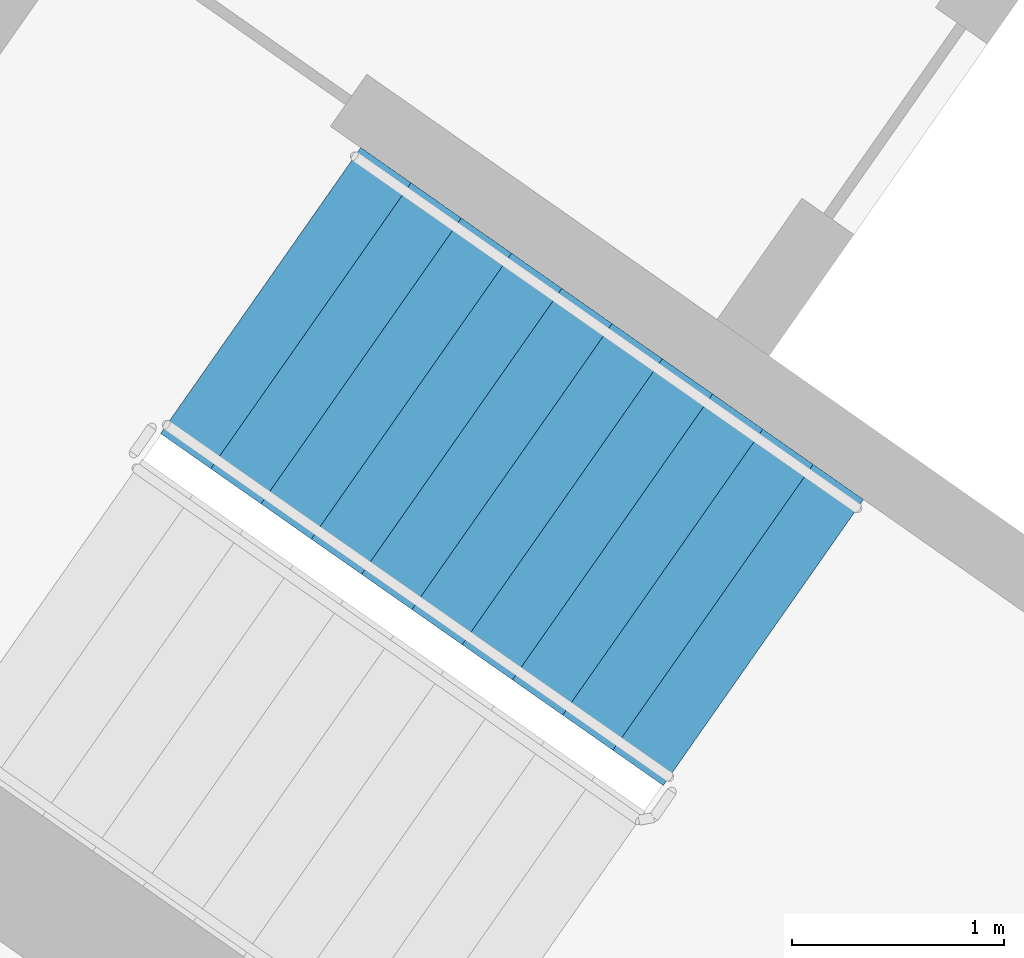
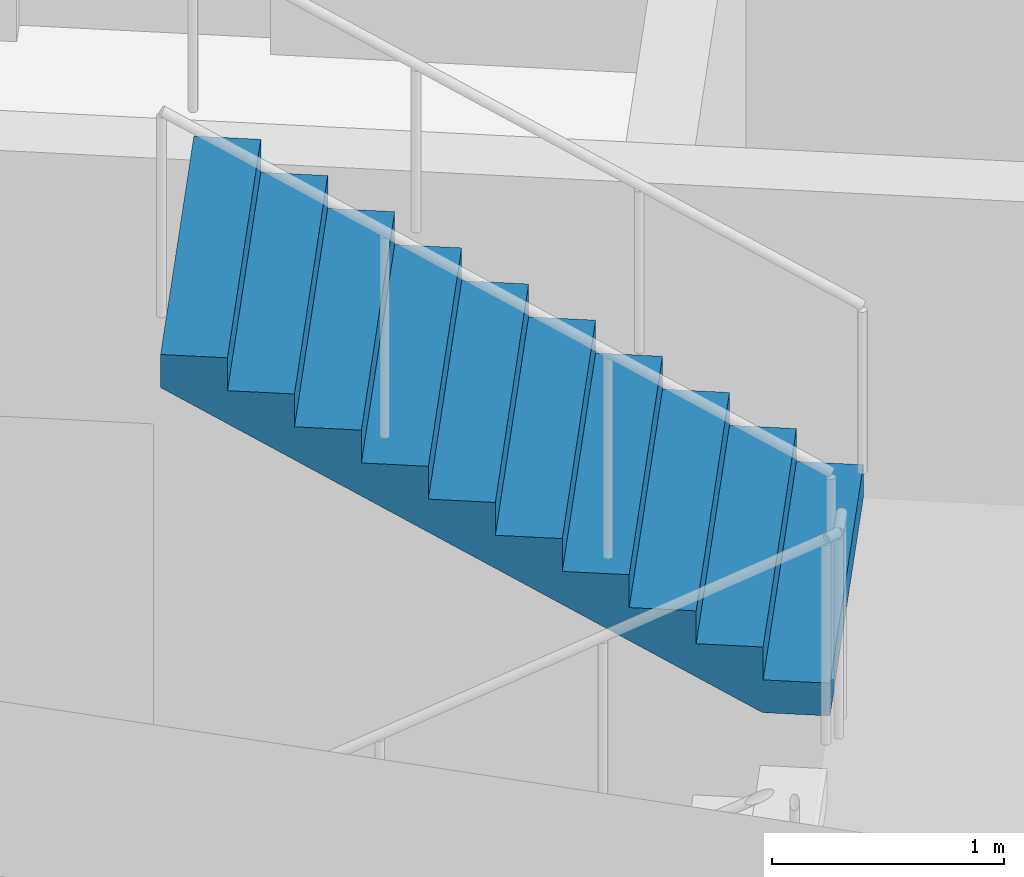
# One storey, part 12 of 27: 1 stair flight, 1 element without a shape of its own.
"""IFC4 building model written with IfcOpenShell, lengths in metres."""

from ifc_helpers import new_model, si_unit, direction, frame, origin, place, context, subcontext, project, spatial, faceted_brep, material, type_object, element, aggregate, save


model = new_model("IFC4")

# Units and contexts
model_context = context("Model", 3, precision=1e-05, world=origin(), true_north=direction((0.0, 1.0)))
body_context = subcontext(model_context, "Body", "Model", "MODEL_VIEW")
ifc_project = project(units=[si_unit("LENGTHUNIT", "METRE"), si_unit("AREAUNIT", "SQUARE_METRE"), si_unit("VOLUMEUNIT", "CUBIC_METRE"), si_unit("PLANEANGLEUNIT", "RADIAN"), si_unit("MASSUNIT", "GRAM", prefix="KILO")], contexts=[model_context])

# Site, building, storey
site_placement = place(None, origin())
site = spatial("IfcSite", under=ifc_project, at=site_placement, CompositionType="ELEMENT")
building_placement = place(site_placement, origin())
building = spatial("IfcBuilding", under=site, at=building_placement, Name="Qamariyya Broadcast Tower", CompositionType="ELEMENT")
storey_placement = place(building_placement, frame((0.0, 0.0, 187.300048828125)))
storey = spatial("IfcBuildingStorey", under=building, at=storey_placement, Name="L44", CompositionType="ELEMENT", Elevation=187.300048828125)

# Stair, stair flight
ifc_material = material(Name="Concrete C50/60", Category="concrete")
stair_type = type_object("IfcStairType", Name="Exit stair 22 risers of 173 mm", PredefinedType="HALF_TURN_STAIR", material=ifc_material)
stair_placement = place(storey_placement, origin())
stair = element("IfcStair", 1, at=stair_placement, inside=storey, type_object=stair_type, Name="L44 Stair W1", PredefinedType="HALF_TURN_STAIR")
stair_flight_type = type_object("IfcStairFlightType", Name="Exit stair flight 11 risers of 173 mm", PredefinedType="STRAIGHT", material=ifc_material)
stair_flight_placement = place(storey_placement, frame((-43.660888671875, -57.17138671875, 1.89990234375), z_axis=(0.0, 0.0, 1.0), x_axis=(-0.819152044289, 0.573576436351, 0.0)))
stair_flight = element("IfcStairFlight", 2, at=stair_flight_placement, type_object=stair_flight_type, Name="ST-W1 flight 2", NumberOfRisers=11, NumberOfTreads=10, PredefinedType="STRAIGHT", RiserHeight=0.172727273, TreadLength=0.29, context=body_context, shape_type="Brep", body=[
    faceted_brep([(0.0, 0.824951171875, 0.0), (0.0, 0.824951171875, 0.172607421875), (0.2900390625, 0.824951171875, 0.172607421875), (0.2900390625, 0.824951171875, 0.345458984375), (0.580078125, 0.824951171875, 0.345458984375), (0.580078125, 0.824951171875, 0.51806640625), (0.8701171875, 0.824951171875, 0.51806640625), (0.8701171875, 0.824951171875, 0.69091796875), (1.159912109375, 0.824951171875, 0.69091796875), (1.159912109375, 0.824951171875, 0.863525390625), (1.449951171875, 0.824951171875, 0.863525390625), (1.449951171875, 0.824951171875, 1.036376953125), (1.739990234375, 0.824951171875, 1.036376953125), (1.739990234375, 0.824951171875, 1.208984375), (2.030029296875, 0.824951171875, 1.208984375), (2.030029296875, 0.824951171875, 1.3818359375), (2.320068359375, 0.824951171875, 1.3818359375), (2.320068359375, 0.824951171875, 1.554443359375), (2.610107421875, 0.824951171875, 1.554443359375), (2.610107421875, 0.824951171875, 1.727294921875), (2.89990234375, 0.824951171875, 1.727294921875), (2.89990234375, 0.824951171875, 1.552734375), (0.29296875, 0.824951171875, 0.0), (0.29296875, -0.824951171875, 0.0), (2.89990234375, -0.824951171875, 1.552734375), (2.89990234375, -0.824951171875, 1.727294921875), (2.610107421875, -0.824951171875, 1.727294921875), (2.610107421875, -0.824951171875, 1.554443359375), (2.320068359375, -0.824951171875, 1.554443359375), (2.320068359375, -0.824951171875, 1.3818359375), (2.030029296875, -0.824951171875, 1.3818359375), (2.030029296875, -0.824951171875, 1.208984375), (1.739990234375, -0.824951171875, 1.208984375), (1.739990234375, -0.824951171875, 1.036376953125), (1.449951171875, -0.824951171875, 1.036376953125), (1.449951171875, -0.824951171875, 0.863525390625), (1.159912109375, -0.824951171875, 0.863525390625), (1.159912109375, -0.824951171875, 0.69091796875), (0.8701171875, -0.824951171875, 0.69091796875), (0.8701171875, -0.824951171875, 0.51806640625), (0.580078125, -0.824951171875, 0.51806640625), (0.580078125, -0.824951171875, 0.345458984375), (0.2900390625, -0.824951171875, 0.345458984375), (0.2900390625, -0.824951171875, 0.172607421875), (0.0, -0.824951171875, 0.172607421875), (0.0, -0.824951171875, 0.0), (0.0, 0.10009765625, 0.0), (0.0, 0.086669921875, 0.0), (0.0, 0.0732421875, 0.0), (0.0, 0.06005859375, 0.0), (0.0, 0.046630859375, 0.0), (0.0, 0.033447265625, 0.0), (0.0, 0.02001953125, 0.0), (0.0, 0.006591796875, 0.0), (0.0, -0.006591796875, 0.0), (0.0, -0.02001953125, 0.0), (0.0, -0.033447265625, 0.0), (0.0, -0.046630859375, 0.0), (0.0, -0.06005859375, 0.0), (0.0, -0.0732421875, 0.0), (0.0, -0.086669921875, 0.0), (0.0, -0.10009765625, 0.0), (0.0, -0.10009765625, 0.172607421875), (0.0, -0.086669921875, 0.172607421875), (0.0, -0.0732421875, 0.172607421875), (0.0, -0.06005859375, 0.172607421875), (0.0, -0.046630859375, 0.172607421875), (0.0, -0.033447265625, 0.172607421875), (0.0, -0.02001953125, 0.172607421875), (0.0, -0.006591796875, 0.172607421875), (0.0, 0.006591796875, 0.172607421875), (0.0, 0.02001953125, 0.172607421875), (0.0, 0.033447265625, 0.172607421875), (0.0, 0.046630859375, 0.172607421875), (0.0, 0.06005859375, 0.172607421875), (0.0, 0.0732421875, 0.172607421875), (0.0, 0.086669921875, 0.172607421875), (0.0, 0.10009765625, 0.172607421875), (0.2900390625, -0.10009765625, 0.172607421875), (0.2900390625, -0.086669921875, 0.172607421875), (0.2900390625, -0.0732421875, 0.172607421875), (0.2900390625, -0.06005859375, 0.172607421875), (0.2900390625, -0.046630859375, 0.172607421875), (0.2900390625, -0.033447265625, 0.172607421875), (0.2900390625, -0.02001953125, 0.172607421875), (0.2900390625, -0.006591796875, 0.172607421875), (0.2900390625, 0.006591796875, 0.172607421875), (0.2900390625, 0.02001953125, 0.172607421875), (0.2900390625, 0.033447265625, 0.172607421875), (0.2900390625, 0.046630859375, 0.172607421875), (0.2900390625, 0.06005859375, 0.172607421875), (0.2900390625, 0.0732421875, 0.172607421875), (0.2900390625, 0.086669921875, 0.172607421875), (0.2900390625, 0.10009765625, 0.172607421875), (0.2900390625, -0.10009765625, 0.345458984375), (0.2900390625, -0.086669921875, 0.345458984375), (0.2900390625, -0.0732421875, 0.345458984375), (0.2900390625, -0.06005859375, 0.345458984375), (0.2900390625, -0.046630859375, 0.345458984375), (0.2900390625, -0.033447265625, 0.345458984375), (0.2900390625, -0.02001953125, 0.345458984375), (0.2900390625, -0.006591796875, 0.345458984375), (0.2900390625, 0.006591796875, 0.345458984375), (0.2900390625, 0.02001953125, 0.345458984375), (0.2900390625, 0.033447265625, 0.345458984375), (0.2900390625, 0.046630859375, 0.345458984375), (0.2900390625, 0.06005859375, 0.345458984375), (0.2900390625, 0.0732421875, 0.345458984375), (0.2900390625, 0.086669921875, 0.345458984375), (0.2900390625, 0.10009765625, 0.345458984375), (0.580078125, -0.10009765625, 0.345458984375), (0.580078125, -0.086669921875, 0.345458984375), (0.580078125, -0.0732421875, 0.345458984375), (0.580078125, -0.06005859375, 0.345458984375), (0.580078125, -0.046630859375, 0.345458984375), (0.580078125, -0.033447265625, 0.345458984375), (0.580078125, -0.02001953125, 0.345458984375), (0.580078125, -0.006591796875, 0.345458984375), (0.580078125, 0.006591796875, 0.345458984375), (0.580078125, 0.02001953125, 0.345458984375), (0.580078125, 0.033447265625, 0.345458984375), (0.580078125, 0.046630859375, 0.345458984375), (0.580078125, 0.06005859375, 0.345458984375), (0.580078125, 0.0732421875, 0.345458984375), (0.580078125, 0.086669921875, 0.345458984375), (0.580078125, 0.10009765625, 0.345458984375), (0.580078125, -0.10009765625, 0.51806640625), (0.580078125, -0.086669921875, 0.51806640625), (0.580078125, -0.0732421875, 0.51806640625), (0.580078125, -0.06005859375, 0.51806640625), (0.580078125, -0.046630859375, 0.51806640625), (0.580078125, -0.033447265625, 0.51806640625), (0.580078125, -0.02001953125, 0.51806640625), (0.580078125, -0.006591796875, 0.51806640625), (0.580078125, 0.006591796875, 0.51806640625), (0.580078125, 0.02001953125, 0.51806640625), (0.580078125, 0.033447265625, 0.51806640625), (0.580078125, 0.046630859375, 0.51806640625), (0.580078125, 0.06005859375, 0.51806640625), (0.580078125, 0.0732421875, 0.51806640625), (0.580078125, 0.086669921875, 0.51806640625), (0.580078125, 0.10009765625, 0.51806640625), (0.8701171875, -0.10009765625, 0.51806640625), (0.8701171875, -0.086669921875, 0.51806640625), (0.8701171875, -0.0732421875, 0.51806640625), (0.8701171875, -0.06005859375, 0.51806640625), (0.8701171875, -0.046630859375, 0.51806640625), (0.8701171875, -0.033447265625, 0.51806640625), (0.8701171875, -0.02001953125, 0.51806640625), (0.8701171875, -0.006591796875, 0.51806640625), (0.8701171875, 0.006591796875, 0.51806640625), (0.8701171875, 0.02001953125, 0.51806640625), (0.8701171875, 0.033447265625, 0.51806640625), (0.8701171875, 0.046630859375, 0.51806640625), (0.8701171875, 0.06005859375, 0.51806640625), (0.8701171875, 0.0732421875, 0.51806640625), (0.8701171875, 0.086669921875, 0.51806640625), (0.8701171875, 0.10009765625, 0.51806640625), (0.8701171875, -0.10009765625, 0.69091796875), (0.8701171875, -0.086669921875, 0.69091796875), (0.8701171875, -0.0732421875, 0.69091796875), (0.8701171875, -0.06005859375, 0.69091796875), (0.8701171875, -0.046630859375, 0.69091796875), (0.8701171875, -0.033447265625, 0.69091796875), (0.8701171875, -0.02001953125, 0.69091796875), (0.8701171875, -0.006591796875, 0.69091796875), (0.8701171875, 0.006591796875, 0.69091796875), (0.8701171875, 0.02001953125, 0.69091796875), (0.8701171875, 0.033447265625, 0.69091796875), (0.8701171875, 0.046630859375, 0.69091796875), (0.8701171875, 0.06005859375, 0.69091796875), (0.8701171875, 0.0732421875, 0.69091796875), (0.8701171875, 0.086669921875, 0.69091796875), (0.8701171875, 0.10009765625, 0.69091796875), (1.159912109375, -0.10009765625, 0.69091796875), (1.159912109375, -0.086669921875, 0.69091796875), (1.159912109375, -0.0732421875, 0.69091796875), (1.159912109375, -0.06005859375, 0.69091796875), (1.159912109375, -0.046630859375, 0.69091796875), (1.159912109375, -0.033447265625, 0.69091796875), (1.159912109375, -0.02001953125, 0.69091796875), (1.159912109375, -0.006591796875, 0.69091796875), (1.159912109375, 0.006591796875, 0.69091796875), (1.159912109375, 0.02001953125, 0.69091796875), (1.159912109375, 0.033447265625, 0.69091796875), (1.159912109375, 0.046630859375, 0.69091796875), (1.159912109375, 0.06005859375, 0.69091796875), (1.159912109375, 0.0732421875, 0.69091796875), (1.159912109375, 0.086669921875, 0.69091796875), (1.159912109375, 0.10009765625, 0.69091796875), (1.159912109375, -0.10009765625, 0.863525390625), (1.159912109375, -0.086669921875, 0.863525390625), (1.159912109375, -0.0732421875, 0.863525390625), (1.159912109375, -0.06005859375, 0.863525390625), (1.159912109375, -0.046630859375, 0.863525390625), (1.159912109375, -0.033447265625, 0.863525390625), (1.159912109375, -0.02001953125, 0.863525390625), (1.159912109375, -0.006591796875, 0.863525390625), (1.159912109375, 0.006591796875, 0.863525390625), (1.159912109375, 0.02001953125, 0.863525390625), (1.159912109375, 0.033447265625, 0.863525390625), (1.159912109375, 0.046630859375, 0.863525390625), (1.159912109375, 0.06005859375, 0.863525390625), (1.159912109375, 0.0732421875, 0.863525390625), (1.159912109375, 0.086669921875, 0.863525390625), (1.159912109375, 0.10009765625, 0.863525390625), (1.449951171875, -0.10009765625, 0.863525390625), (1.449951171875, -0.086669921875, 0.863525390625), (1.449951171875, -0.0732421875, 0.863525390625), (1.449951171875, -0.06005859375, 0.863525390625), (1.449951171875, -0.046630859375, 0.863525390625), (1.449951171875, -0.033447265625, 0.863525390625), (1.449951171875, -0.02001953125, 0.863525390625), (1.449951171875, -0.006591796875, 0.863525390625), (1.449951171875, 0.006591796875, 0.863525390625), (1.449951171875, 0.02001953125, 0.863525390625), (1.449951171875, 0.033447265625, 0.863525390625), (1.449951171875, 0.046630859375, 0.863525390625), (1.449951171875, 0.06005859375, 0.863525390625), (1.449951171875, 0.0732421875, 0.863525390625), (1.449951171875, 0.086669921875, 0.863525390625), (1.449951171875, 0.10009765625, 0.863525390625), (1.449951171875, -0.10009765625, 1.036376953125), (1.449951171875, -0.086669921875, 1.036376953125), (1.449951171875, -0.0732421875, 1.036376953125), (1.449951171875, -0.06005859375, 1.036376953125), (1.449951171875, -0.046630859375, 1.036376953125), (1.449951171875, -0.033447265625, 1.036376953125), (1.449951171875, -0.02001953125, 1.036376953125), (1.449951171875, -0.006591796875, 1.036376953125), (1.449951171875, 0.006591796875, 1.036376953125), (1.449951171875, 0.02001953125, 1.036376953125), (1.449951171875, 0.033447265625, 1.036376953125), (1.449951171875, 0.046630859375, 1.036376953125), (1.449951171875, 0.06005859375, 1.036376953125), (1.449951171875, 0.0732421875, 1.036376953125), (1.449951171875, 0.086669921875, 1.036376953125), (1.449951171875, 0.10009765625, 1.036376953125), (1.739990234375, -0.10009765625, 1.036376953125), (1.739990234375, -0.086669921875, 1.036376953125), (1.739990234375, -0.0732421875, 1.036376953125), (1.739990234375, -0.06005859375, 1.036376953125), (1.739990234375, -0.046630859375, 1.036376953125), (1.739990234375, -0.033447265625, 1.036376953125), (1.739990234375, -0.02001953125, 1.036376953125), (1.739990234375, -0.006591796875, 1.036376953125), (1.739990234375, 0.006591796875, 1.036376953125), (1.739990234375, 0.02001953125, 1.036376953125), (1.739990234375, 0.033447265625, 1.036376953125), (1.739990234375, 0.046630859375, 1.036376953125), (1.739990234375, 0.06005859375, 1.036376953125), (1.739990234375, 0.0732421875, 1.036376953125), (1.739990234375, 0.086669921875, 1.036376953125), (1.739990234375, 0.10009765625, 1.036376953125), (1.739990234375, -0.10009765625, 1.208984375), (1.739990234375, -0.086669921875, 1.208984375), (1.739990234375, -0.0732421875, 1.208984375), (1.739990234375, -0.06005859375, 1.208984375), (1.739990234375, -0.046630859375, 1.208984375), (1.739990234375, -0.033447265625, 1.208984375), (1.739990234375, -0.02001953125, 1.208984375), (1.739990234375, -0.006591796875, 1.208984375), (1.739990234375, 0.006591796875, 1.208984375), (1.739990234375, 0.02001953125, 1.208984375), (1.739990234375, 0.033447265625, 1.208984375), (1.739990234375, 0.046630859375, 1.208984375), (1.739990234375, 0.06005859375, 1.208984375), (1.739990234375, 0.0732421875, 1.208984375), (1.739990234375, 0.086669921875, 1.208984375), (1.739990234375, 0.10009765625, 1.208984375), (2.030029296875, -0.10009765625, 1.208984375), (2.030029296875, -0.086669921875, 1.208984375), (2.030029296875, -0.0732421875, 1.208984375), (2.030029296875, -0.06005859375, 1.208984375), (2.030029296875, -0.046630859375, 1.208984375), (2.030029296875, -0.033447265625, 1.208984375), (2.030029296875, -0.02001953125, 1.208984375), (2.030029296875, -0.006591796875, 1.208984375), (2.030029296875, 0.006591796875, 1.208984375), (2.030029296875, 0.02001953125, 1.208984375), (2.030029296875, 0.033447265625, 1.208984375), (2.030029296875, 0.046630859375, 1.208984375), (2.030029296875, 0.06005859375, 1.208984375), (2.030029296875, 0.0732421875, 1.208984375), (2.030029296875, 0.086669921875, 1.208984375), (2.030029296875, 0.10009765625, 1.208984375), (2.030029296875, -0.10009765625, 1.3818359375), (2.030029296875, -0.086669921875, 1.3818359375), (2.030029296875, -0.0732421875, 1.3818359375), (2.030029296875, -0.06005859375, 1.3818359375), (2.030029296875, -0.046630859375, 1.3818359375), (2.030029296875, -0.033447265625, 1.3818359375), (2.030029296875, -0.02001953125, 1.3818359375), (2.030029296875, -0.006591796875, 1.3818359375), (2.030029296875, 0.006591796875, 1.3818359375), (2.030029296875, 0.02001953125, 1.3818359375), (2.030029296875, 0.033447265625, 1.3818359375), (2.030029296875, 0.046630859375, 1.3818359375), (2.030029296875, 0.06005859375, 1.3818359375), (2.030029296875, 0.0732421875, 1.3818359375), (2.030029296875, 0.086669921875, 1.3818359375), (2.030029296875, 0.10009765625, 1.3818359375), (2.320068359375, -0.10009765625, 1.3818359375), (2.320068359375, -0.086669921875, 1.3818359375), (2.320068359375, -0.0732421875, 1.3818359375), (2.320068359375, -0.06005859375, 1.3818359375), (2.320068359375, -0.046630859375, 1.3818359375), (2.320068359375, -0.033447265625, 1.3818359375), (2.320068359375, -0.02001953125, 1.3818359375), (2.320068359375, -0.006591796875, 1.3818359375), (2.320068359375, 0.006591796875, 1.3818359375), (2.320068359375, 0.02001953125, 1.3818359375), (2.320068359375, 0.033447265625, 1.3818359375), (2.320068359375, 0.046630859375, 1.3818359375), (2.320068359375, 0.06005859375, 1.3818359375), (2.320068359375, 0.0732421875, 1.3818359375), (2.320068359375, 0.086669921875, 1.3818359375), (2.320068359375, 0.10009765625, 1.3818359375), (2.320068359375, -0.10009765625, 1.554443359375), (2.320068359375, -0.086669921875, 1.554443359375), (2.320068359375, -0.0732421875, 1.554443359375), (2.320068359375, -0.06005859375, 1.554443359375), (2.320068359375, -0.046630859375, 1.554443359375), (2.320068359375, -0.033447265625, 1.554443359375), (2.320068359375, -0.02001953125, 1.554443359375), (2.320068359375, -0.006591796875, 1.554443359375), (2.320068359375, 0.006591796875, 1.554443359375), (2.320068359375, 0.02001953125, 1.554443359375), (2.320068359375, 0.033447265625, 1.554443359375), (2.320068359375, 0.046630859375, 1.554443359375), (2.320068359375, 0.06005859375, 1.554443359375), (2.320068359375, 0.0732421875, 1.554443359375), (2.320068359375, 0.086669921875, 1.554443359375), (2.320068359375, 0.10009765625, 1.554443359375), (2.610107421875, -0.10009765625, 1.554443359375), (2.610107421875, -0.086669921875, 1.554443359375), (2.610107421875, -0.0732421875, 1.554443359375), (2.610107421875, -0.06005859375, 1.554443359375), (2.610107421875, -0.046630859375, 1.554443359375), (2.610107421875, -0.033447265625, 1.554443359375), (2.610107421875, -0.02001953125, 1.554443359375), (2.610107421875, -0.006591796875, 1.554443359375), (2.610107421875, 0.006591796875, 1.554443359375), (2.610107421875, 0.02001953125, 1.554443359375), (2.610107421875, 0.033447265625, 1.554443359375), (2.610107421875, 0.046630859375, 1.554443359375), (2.610107421875, 0.06005859375, 1.554443359375), (2.610107421875, 0.0732421875, 1.554443359375), (2.610107421875, 0.086669921875, 1.554443359375), (2.610107421875, 0.10009765625, 1.554443359375), (2.610107421875, -0.10009765625, 1.727294921875), (2.610107421875, -0.086669921875, 1.727294921875), (2.610107421875, -0.0732421875, 1.727294921875), (2.610107421875, -0.06005859375, 1.727294921875), (2.610107421875, -0.046630859375, 1.727294921875), (2.610107421875, -0.033447265625, 1.727294921875), (2.610107421875, -0.02001953125, 1.727294921875), (2.610107421875, -0.006591796875, 1.727294921875), (2.610107421875, 0.006591796875, 1.727294921875), (2.610107421875, 0.02001953125, 1.727294921875), (2.610107421875, 0.033447265625, 1.727294921875), (2.610107421875, 0.046630859375, 1.727294921875), (2.610107421875, 0.06005859375, 1.727294921875), (2.610107421875, 0.0732421875, 1.727294921875), (2.610107421875, 0.086669921875, 1.727294921875), (2.610107421875, 0.10009765625, 1.727294921875), (2.89990234375, -0.10009765625, 1.727294921875), (2.89990234375, -0.086669921875, 1.727294921875), (2.89990234375, -0.0732421875, 1.727294921875), (2.89990234375, -0.06005859375, 1.727294921875), (2.89990234375, -0.046630859375, 1.727294921875), (2.89990234375, -0.033447265625, 1.727294921875), (2.89990234375, -0.02001953125, 1.727294921875), (2.89990234375, -0.006591796875, 1.727294921875), (2.89990234375, 0.006591796875, 1.727294921875), (2.89990234375, 0.02001953125, 1.727294921875), (2.89990234375, 0.033447265625, 1.727294921875), (2.89990234375, 0.046630859375, 1.727294921875), (2.89990234375, 0.06005859375, 1.727294921875), (2.89990234375, 0.0732421875, 1.727294921875), (2.89990234375, 0.086669921875, 1.727294921875), (2.89990234375, 0.10009765625, 1.727294921875), (2.89990234375, -0.10009765625, 1.552734375), (2.89990234375, -0.086669921875, 1.552734375), (2.89990234375, -0.0732421875, 1.552734375), (2.89990234375, -0.06005859375, 1.552734375), (2.89990234375, -0.046630859375, 1.552734375), (2.89990234375, -0.033447265625, 1.552734375), (2.89990234375, -0.02001953125, 1.552734375), (2.89990234375, -0.006591796875, 1.552734375), (2.89990234375, 0.006591796875, 1.552734375), (2.89990234375, 0.02001953125, 1.552734375), (2.89990234375, 0.033447265625, 1.552734375), (2.89990234375, 0.046630859375, 1.552734375), (2.89990234375, 0.06005859375, 1.552734375), (2.89990234375, 0.0732421875, 1.552734375), (2.89990234375, 0.086669921875, 1.552734375), (2.89990234375, 0.10009765625, 1.552734375), (0.29296875, -0.10009765625, 0.0), (0.29296875, -0.086669921875, 0.0), (0.29296875, -0.0732421875, 0.0), (0.29296875, -0.06005859375, 0.0), (0.29296875, -0.046630859375, 0.0), (0.29296875, -0.033447265625, 0.0), (0.29296875, -0.02001953125, 0.0), (0.29296875, -0.006591796875, 0.0), (0.29296875, 0.006591796875, 0.0), (0.29296875, 0.02001953125, 0.0), (0.29296875, 0.033447265625, 0.0), (0.29296875, 0.046630859375, 0.0), (0.29296875, 0.06005859375, 0.0), (0.29296875, 0.0732421875, 0.0), (0.29296875, 0.086669921875, 0.0), (0.29296875, 0.10009765625, 0.0)], [[[0, 1, 2, 3, 4, 5, 6, 7, 8, 9, 10, 11, 12, 13, 14, 15, 16, 17, 18, 19, 20, 21, 22]], [[23, 24, 25, 26, 27, 28, 29, 30, 31, 32, 33, 34, 35, 36, 37, 38, 39, 40, 41, 42, 43, 44, 45]], [[0, 46, 47, 48, 49, 50, 51, 52, 53, 54, 55, 56, 57, 58, 59, 60, 61, 45, 44, 62, 63, 64, 65, 66, 67, 68, 69, 70, 71, 72, 73, 74, 75, 76, 77, 1]], [[1, 77, 76, 75, 74, 73, 72, 71, 70, 69, 68, 67, 66, 65, 64, 63, 62, 44, 43, 78, 79, 80, 81, 82, 83, 84, 85, 86, 87, 88, 89, 90, 91, 92, 93, 2]], [[2, 93, 92, 91, 90, 89, 88, 87, 86, 85, 84, 83, 82, 81, 80, 79, 78, 43, 42, 94, 95, 96, 97, 98, 99, 100, 101, 102, 103, 104, 105, 106, 107, 108, 109, 3]], [[3, 109, 108, 107, 106, 105, 104, 103, 102, 101, 100, 99, 98, 97, 96, 95, 94, 42, 41, 110, 111, 112, 113, 114, 115, 116, 117, 118, 119, 120, 121, 122, 123, 124, 125, 4]], [[4, 125, 124, 123, 122, 121, 120, 119, 118, 117, 116, 115, 114, 113, 112, 111, 110, 41, 40, 126, 127, 128, 129, 130, 131, 132, 133, 134, 135, 136, 137, 138, 139, 140, 141, 5]], [[5, 141, 140, 139, 138, 137, 136, 135, 134, 133, 132, 131, 130, 129, 128, 127, 126, 40, 39, 142, 143, 144, 145, 146, 147, 148, 149, 150, 151, 152, 153, 154, 155, 156, 157, 6]], [[6, 157, 156, 155, 154, 153, 152, 151, 150, 149, 148, 147, 146, 145, 144, 143, 142, 39, 38, 158, 159, 160, 161, 162, 163, 164, 165, 166, 167, 168, 169, 170, 171, 172, 173, 7]], [[7, 173, 172, 171, 170, 169, 168, 167, 166, 165, 164, 163, 162, 161, 160, 159, 158, 38, 37, 174, 175, 176, 177, 178, 179, 180, 181, 182, 183, 184, 185, 186, 187, 188, 189, 8]], [[8, 189, 188, 187, 186, 185, 184, 183, 182, 181, 180, 179, 178, 177, 176, 175, 174, 37, 36, 190, 191, 192, 193, 194, 195, 196, 197, 198, 199, 200, 201, 202, 203, 204, 205, 9]], [[9, 205, 204, 203, 202, 201, 200, 199, 198, 197, 196, 195, 194, 193, 192, 191, 190, 36, 35, 206, 207, 208, 209, 210, 211, 212, 213, 214, 215, 216, 217, 218, 219, 220, 221, 10]], [[10, 221, 220, 219, 218, 217, 216, 215, 214, 213, 212, 211, 210, 209, 208, 207, 206, 35, 34, 222, 223, 224, 225, 226, 227, 228, 229, 230, 231, 232, 233, 234, 235, 236, 237, 11]], [[11, 237, 236, 235, 234, 233, 232, 231, 230, 229, 228, 227, 226, 225, 224, 223, 222, 34, 33, 238, 239, 240, 241, 242, 243, 244, 245, 246, 247, 248, 249, 250, 251, 252, 253, 12]], [[12, 253, 252, 251, 250, 249, 248, 247, 246, 245, 244, 243, 242, 241, 240, 239, 238, 33, 32, 254, 255, 256, 257, 258, 259, 260, 261, 262, 263, 264, 265, 266, 267, 268, 269, 13]], [[13, 269, 268, 267, 266, 265, 264, 263, 262, 261, 260, 259, 258, 257, 256, 255, 254, 32, 31, 270, 271, 272, 273, 274, 275, 276, 277, 278, 279, 280, 281, 282, 283, 284, 285, 14]], [[14, 285, 284, 283, 282, 281, 280, 279, 278, 277, 276, 275, 274, 273, 272, 271, 270, 31, 30, 286, 287, 288, 289, 290, 291, 292, 293, 294, 295, 296, 297, 298, 299, 300, 301, 15]], [[15, 301, 300, 299, 298, 297, 296, 295, 294, 293, 292, 291, 290, 289, 288, 287, 286, 30, 29, 302, 303, 304, 305, 306, 307, 308, 309, 310, 311, 312, 313, 314, 315, 316, 317, 16]], [[16, 317, 316, 315, 314, 313, 312, 311, 310, 309, 308, 307, 306, 305, 304, 303, 302, 29, 28, 318, 319, 320, 321, 322, 323, 324, 325, 326, 327, 328, 329, 330, 331, 332, 333, 17]], [[17, 333, 332, 331, 330, 329, 328, 327, 326, 325, 324, 323, 322, 321, 320, 319, 318, 28, 27, 334, 335, 336, 337, 338, 339, 340, 341, 342, 343, 344, 345, 346, 347, 348, 349, 18]], [[18, 349, 348, 347, 346, 345, 344, 343, 342, 341, 340, 339, 338, 337, 336, 335, 334, 27, 26, 350, 351, 352, 353, 354, 355, 356, 357, 358, 359, 360, 361, 362, 363, 364, 365, 19]], [[19, 365, 364, 363, 362, 361, 360, 359, 358, 357, 356, 355, 354, 353, 352, 351, 350, 26, 25, 366, 367, 368, 369, 370, 371, 372, 373, 374, 375, 376, 377, 378, 379, 380, 381, 20]], [[20, 381, 380, 379, 378, 377, 376, 375, 374, 373, 372, 371, 370, 369, 368, 367, 366, 25, 24, 382, 383, 384, 385, 386, 387, 388, 389, 390, 391, 392, 393, 394, 395, 396, 397, 21]], [[21, 397, 396, 395, 394, 393, 392, 391, 390, 389, 388, 387, 386, 385, 384, 383, 382, 24, 23, 398, 399, 400, 401, 402, 403, 404, 405, 406, 407, 408, 409, 410, 411, 412, 413, 22]], [[22, 413, 412, 411, 410, 409, 408, 407, 406, 405, 404, 403, 402, 401, 400, 399, 398, 23, 45, 61, 60, 59, 58, 57, 56, 55, 54, 53, 52, 51, 50, 49, 48, 47, 46, 0]]]),
])
aggregate(stair, [stair_flight])

save(model, "model.ifc")
